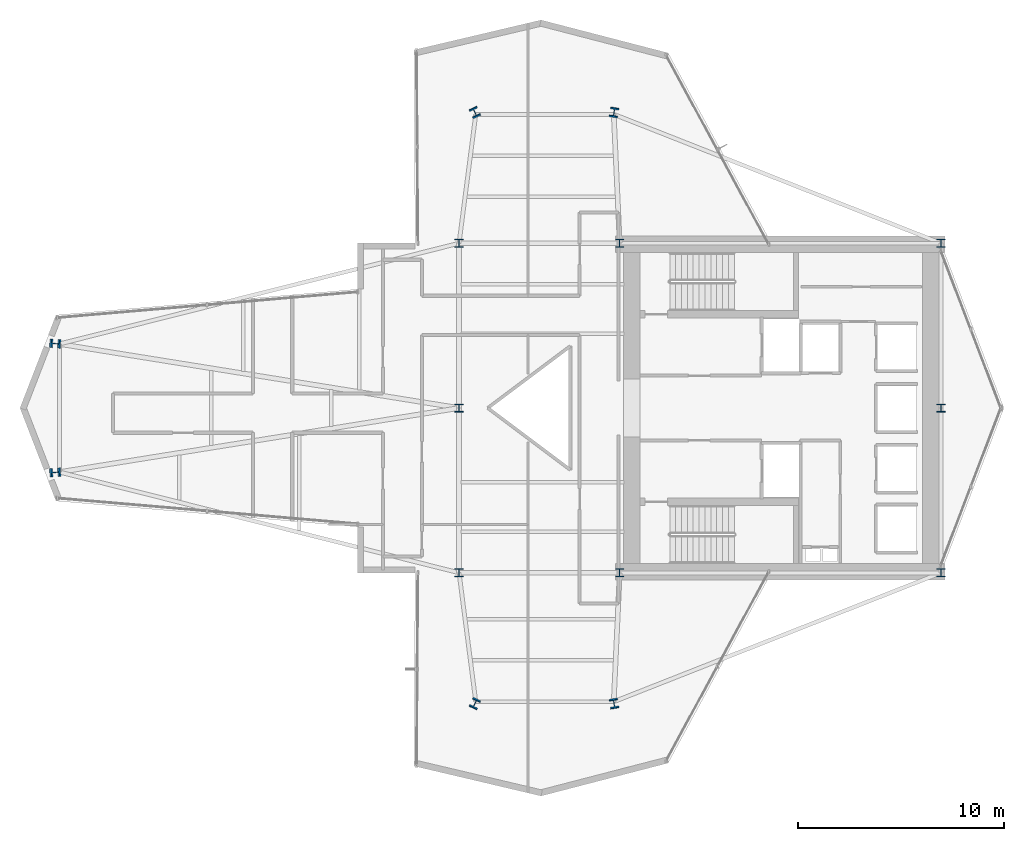
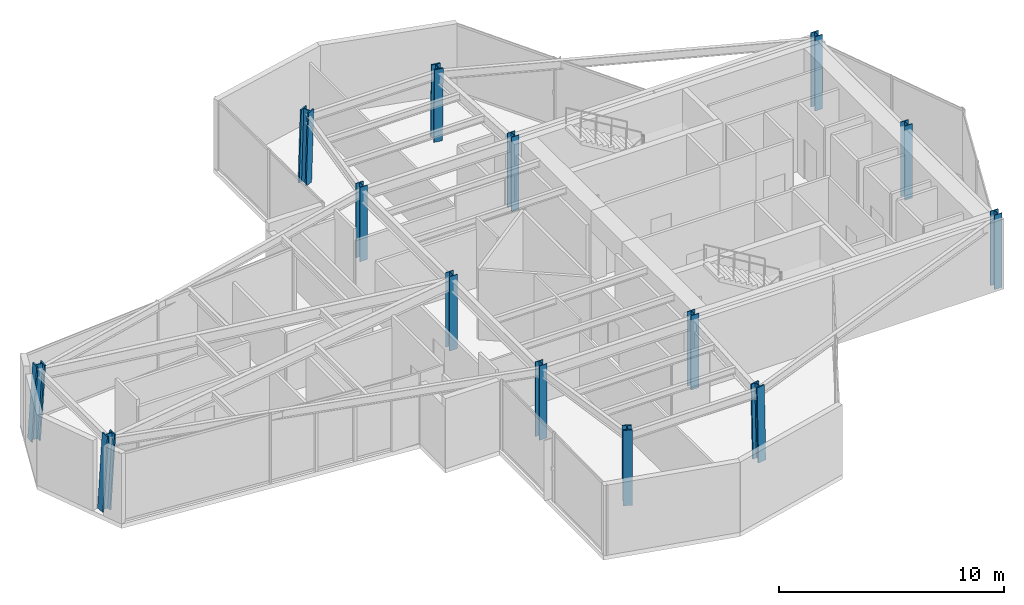
# One storey, part 1 of 26: 14 columns.
"""IFC4 building model written with IfcOpenShell, lengths in metres."""

from ifc_helpers import new_model, si_unit, direction, frame, origin, origin_2d, place, context, subcontext, project, spatial, i_section, extrude, material, material_profile, profile_set, type_object, element, save


model = new_model("IFC4")

# Units and contexts
model_context = context("Model", 3, precision=1e-05, world=origin(), true_north=direction((0.0, 1.0)))
body_context = subcontext(model_context, "Body", "Model", "MODEL_VIEW")
ifc_project = project(units=[si_unit("LENGTHUNIT", "METRE"), si_unit("AREAUNIT", "SQUARE_METRE"), si_unit("VOLUMEUNIT", "CUBIC_METRE"), si_unit("PLANEANGLEUNIT", "RADIAN"), si_unit("MASSUNIT", "GRAM", prefix="KILO")], contexts=[model_context])

# Site, building, storey
site_placement = place(None, origin())
site = spatial("IfcSite", under=ifc_project, at=site_placement, CompositionType="ELEMENT")
building_placement = place(site_placement, origin())
building = spatial("IfcBuilding", under=site, at=building_placement, Name="Veymaron Broadcast Tower", CompositionType="ELEMENT")
storey_placement = place(building_placement, frame((0.0, 0.0, 157.35009765625)))
storey = spatial("IfcBuildingStorey", under=building, at=storey_placement, Name="L36", CompositionType="ELEMENT", Elevation=157.35009765625)

# Columns
ifc_material_1 = material(Name="Structural steel ASTM A992 Gr 50", Category="steel")
ifc_material_profile_1 = material_profile(ifc_material_1, i_section(OverallWidth=0.39794921875, OverallDepth=0.386962890625, WebThickness=0.02099609375, FlangeThickness=0.033203125, at=origin_2d()), Name="W360X262")
ifc_profile_set_1 = profile_set([ifc_material_profile_1], Name="Structural steel ASTM A992 Gr 50")
column_type_1 = type_object("IfcColumnType", Name="COL-HC2", PredefinedType="COLUMN", material=ifc_profile_set_1)
for number, where, z_axis, x_axis, name in (
    (1, (31.199951171875, 16.0, 0.0), (0.0, 0.0, 1.0), (1.0, 0.0, 0.0), "L36 structural hub and core column"),
    (2, (31.199951171875, 24.0, 0.0), (0.0, 0.0, 1.0), (1.0, 0.0, 0.0), "L36 structural hub and core column"),
    (3, (31.199951171875, 32.0, 0.0), (0.0, 0.0, 1.0), (1.0, 0.0, 0.0), "L36 structural hub and core column"),
    (4, (39.0, 16.0, 0.0), (0.0, 0.0, 1.0), (1.0, 0.0, 0.0), "L36 structural hub and core column"),
    (5, (39.0, 32.0, 0.0), (0.0, 0.0, 1.0), (1.0, 0.0, 0.0), "L36 structural hub and core column"),
    (6, (54.60009765625, 16.0, 0.0), (0.0, 0.0, 1.0), (1.0, 0.0, 0.0), "L36 structural hub and core column"),
    (7, (54.60009765625, 24.0, 0.0), (0.0, 0.0, 1.0), (1.0, 0.0, 0.0), "L36 structural hub and core column"),
    (8, (54.60009765625, 32.0, 0.0), (0.0, 0.0, 1.0), (1.0, 0.0, 0.0), "L36 structural hub and core column"),
):
    element("IfcColumn", number, at=place(storey_placement, frame(where, z_axis=z_axis, x_axis=x_axis)), inside=storey, type_object=column_type_1, Name=name, PredefinedType="COLUMN", context=body_context, shape_type="SweptSolid", body=[
        extrude(i_section(OverallWidth=0.39794921875, OverallDepth=0.386962890625, WebThickness=0.02099609375, FlangeThickness=0.033203125, at=origin_2d()), origin(), (0.0, 0.0, 1.0), 4.0439453125),
    ])
ifc_material_2 = material(Name="Structural steel ASTM A913 Gr 65", Category="steel")
ifc_material_profile_2 = material_profile(ifc_material_2, i_section(OverallWidth=0.41796875, OverallDepth=0.455078125, WebThickness=0.0419921875, FlangeThickness=0.067626953125, at=origin_2d()), Name="W360X551")
ifc_profile_set_2 = profile_set([ifc_material_profile_2], Name="Structural steel ASTM A913 Gr 65")
column_type_2 = type_object("IfcColumnType", Name="COL-MC2", PredefinedType="COLUMN", material=ifc_profile_set_2)
for number, where, z_axis, x_axis, name in (
    (9, (11.5537109375, 20.8720703125, 0.015869140625), (0.061675410812, 0.004427045221, 0.998086441633), (-0.071595539329, 0.997433746546, 0.0), "L36 Tapered Wing Mega Column"),
    (10, (11.5537109375, 27.1279296875, 0.015869140625), (0.061675410812, -0.004427045221, 0.998086441633), (0.071595539329, 0.997433746546, 0.0), "L36 Tapered Wing Mega Column"),
):
    element("IfcColumn", number, at=place(storey_placement, frame(where, z_axis=z_axis, x_axis=x_axis)), inside=storey, type_object=column_type_2, Name=name, PredefinedType="COLUMN", context=body_context, shape_type="SweptSolid", body=[
        extrude(i_section(OverallWidth=0.41796875, OverallDepth=0.455078125, WebThickness=0.0419921875, FlangeThickness=0.067626953125, at=origin_2d()), origin(), (0.0, 0.0, 1.0), 4.02587890625),
    ])
column_1_placement = place(storey_placement, frame((31.961669921875, 38.367919921875, 0.015869140625), z_axis=(0.012511218444, -0.026844458992, 0.999561326), x_axis=(0.906392585431, 0.422436363345, 0.0)))
element("IfcColumn", 11, at=column_1_placement, inside=storey, type_object=column_type_2, Name="L36 Tapered Wing Mega Column", PredefinedType="COLUMN", context=body_context, shape_type="SweptSolid", body=[
    extrude(i_section(OverallWidth=0.41796875, OverallDepth=0.455078125, WebThickness=0.0419921875, FlangeThickness=0.067626953125, at=origin_2d()), origin(), (0.0, 0.0, 1.0), 4.019775390625),
])
column_2_placement = place(storey_placement, frame((38.72802734375, 38.367919921875, 0.015869140625), z_axis=(-0.004494627579, -0.026846289054, 0.999629468897), x_axis=(0.986273042842, -0.165122636132, 0.0)))
element("IfcColumn", 12, at=column_2_placement, inside=storey, type_object=column_type_2, Name="L36 Tapered Wing Mega Column", PredefinedType="COLUMN", context=body_context, shape_type="SweptSolid", body=[
    extrude(i_section(OverallWidth=0.41796875, OverallDepth=0.455078125, WebThickness=0.0419921875, FlangeThickness=0.067626953125, at=origin_2d()), origin(), (0.0, 0.0, 1.0), 4.01953125),
])
column_3_placement = place(storey_placement, frame((31.961669921875, 9.632080078125, 0.015869140625), z_axis=(0.012511218444, 0.026844458992, 0.999561326), x_axis=(-0.906392585431, 0.422436363345, 0.0)))
element("IfcColumn", 13, at=column_3_placement, inside=storey, type_object=column_type_2, Name="L36 Tapered Wing Mega Column", PredefinedType="COLUMN", context=body_context, shape_type="SweptSolid", body=[
    extrude(i_section(OverallWidth=0.41796875, OverallDepth=0.455078125, WebThickness=0.0419921875, FlangeThickness=0.067626953125, at=origin_2d()), origin(), (0.0, 0.0, 1.0), 4.019775390625),
])
column_4_placement = place(storey_placement, frame((38.72802734375, 9.632080078125, 0.015869140625), z_axis=(-0.004494627579, 0.026846289054, 0.999629468897), x_axis=(-0.986273042842, -0.165122636132, 0.0)))
element("IfcColumn", 14, at=column_4_placement, inside=storey, type_object=column_type_2, Name="L36 Tapered Wing Mega Column", PredefinedType="COLUMN", context=body_context, shape_type="SweptSolid", body=[
    extrude(i_section(OverallWidth=0.41796875, OverallDepth=0.455078125, WebThickness=0.0419921875, FlangeThickness=0.067626953125, at=origin_2d()), origin(), (0.0, 0.0, 1.0), 4.01953125),
])

save(model, "model.ifc")
